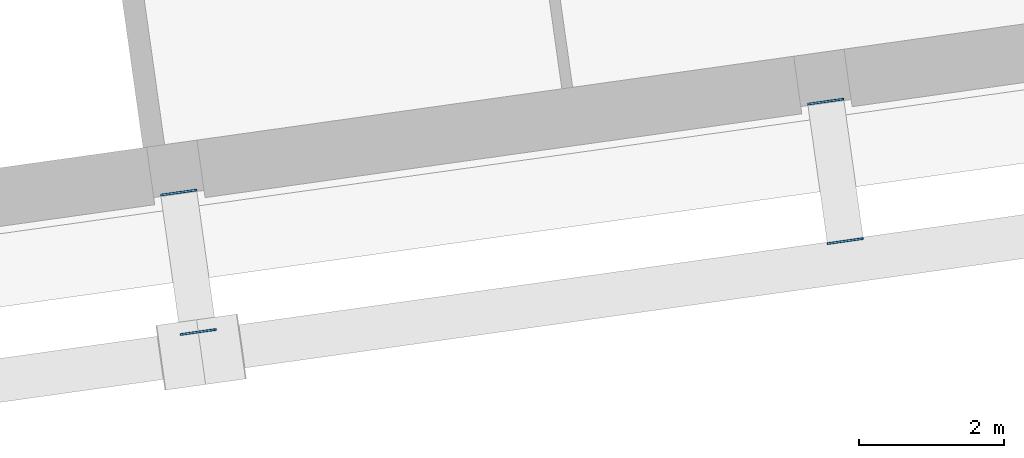
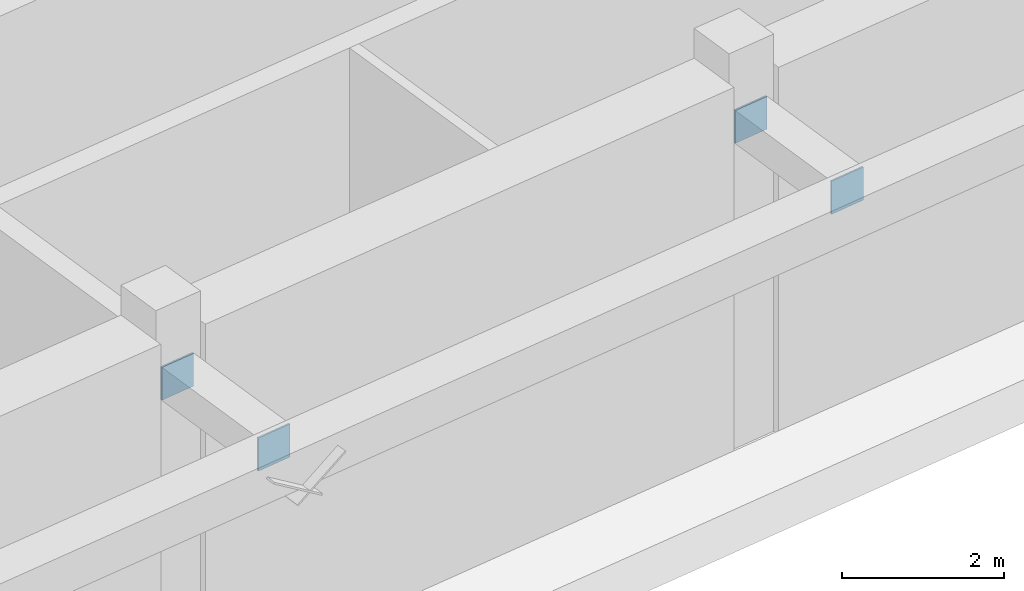
# One storey, part 36 of 41: 4 discrete accessories.
"""IFC4 building model written with IfcOpenShell, lengths in metres."""

import ifcopenshell
import ifcopenshell.guid

model = None  # the IFC model being written
_history = None  # IfcOwnerHistory: only IFC2X3 demands one
_inside = {}  # id of a spatial element -> (the spatial element, [elements in it])
_under = {}  # id of a project, library or spatial element -> (it, [spatial elements below it])
_declared = {}  # id of a project -> (the project, [libraries it declares])
_typed = {}  # id of a type object -> (the type object, [elements of that type])
_made_of = {}  # id of a material, layer set ... -> (it, [elements and type objects made of it])


def new_model(schema):
    """Start an empty IFC model of exactly this schema.

    Asked for "IFC4X3", IfcOpenShell would pick the latest addendum, in which some entities
    have other attributes; the version numbers below select the first issue.
    IFC2X3 requires an IfcOwnerHistory on every rooted entity: one is made here for all.
    """
    global model, _history
    if schema == "IFC4X3":
        model = ifcopenshell.file(schema_version=(4, 3, 0, 0))
    else:
        model = ifcopenshell.file(schema=schema)
    _inside.clear()
    _under.clear()
    _declared.clear()
    _typed.clear()
    _made_of.clear()
    _history = None
    if model.schema == "IFC2X3":
        org = make("IfcOrganization", Name="unknown")
        user = make(
            "IfcPersonAndOrganization",
            ThePerson=make("IfcPerson", FamilyName="unknown"),
            TheOrganization=org,
        )
        app = make(
            "IfcApplication",
            ApplicationDeveloper=org,
            Version="unknown",
            ApplicationFullName="unknown",
            ApplicationIdentifier="unknown",
        )
        _history = make(
            "IfcOwnerHistory",
            OwningUser=user,
            OwningApplication=app,
            ChangeAction="ADDED",
            CreationDate=0,
        )
    return model


def make(cls, **values):
    """One entity of the class cls with the attributes given. An attribute that is None is left unset."""
    return model.create_entity(
        cls, **{name: value for name, value in values.items() if value is not None}
    )


def rooted(cls, **values):
    """An entity with a GlobalId (a new one), such as an element, a storey or a relation."""
    return make(cls, GlobalId=ifcopenshell.guid.new(), OwnerHistory=_history, **values)


def si_unit(unit_type, name, prefix=None):
    """IfcSIUnit, for example si_unit("LENGTHUNIT", "METRE", prefix="MILLI")."""
    return make("IfcSIUnit", UnitType=unit_type, Prefix=prefix, Name=name)


def assignment(units):
    """IfcUnitAssignment: the units of a project."""
    return None if units is None else make("IfcUnitAssignment", Units=units)


def point(xyz):
    """IfcCartesianPoint."""
    return None if xyz is None else make("IfcCartesianPoint", Coordinates=xyz)


def direction(xyz):
    """IfcDirection."""
    return None if xyz is None else make("IfcDirection", DirectionRatios=xyz)


def frame(location, z_axis=None, x_axis=None):
    """IfcAxis2Placement3D, a coordinate frame: its origin and axes. An axis left out is left unset."""
    return make(
        "IfcAxis2Placement3D",
        Location=point(location),
        Axis=direction(z_axis),
        RefDirection=direction(x_axis),
    )


def frame_2d(location, x_axis=None):
    """IfcAxis2Placement2D, a coordinate frame in the plane: its origin and x axis."""
    return make(
        "IfcAxis2Placement2D", Location=point(location), RefDirection=direction(x_axis)
    )


def origin():
    """The frame at (0, 0, 0) with its axes left unset."""
    return frame((0.0, 0.0, 0.0))


def origin_2d():
    """The frame at (0, 0) in the plane with its x axis left unset."""
    return frame_2d((0.0, 0.0))


def place(relative_to, where):
    """IfcLocalPlacement: puts the frame where relative to a parent placement (None: the world)."""
    return make(
        "IfcLocalPlacement", PlacementRelTo=relative_to, RelativePlacement=where
    )


def context(
    kind, dimensions, precision=None, world=None, true_north=None, identifier=None
):
    """IfcGeometricRepresentationContext, for example the 3D "Model" context."""
    return make(
        "IfcGeometricRepresentationContext",
        ContextIdentifier=identifier,
        ContextType=kind,
        CoordinateSpaceDimension=dimensions,
        Precision=precision,
        WorldCoordinateSystem=world,
        TrueNorth=true_north,
    )


def subcontext(parent, identifier, kind, view, scale=None):
    """IfcGeometricRepresentationSubContext, for example "Body" below "Model"."""
    return make(
        "IfcGeometricRepresentationSubContext",
        ContextIdentifier=identifier,
        ContextType=kind,
        ParentContext=parent,
        TargetScale=scale,
        TargetView=view,
    )


def project(units=None, contexts=None):
    """IfcProject with its units and contexts."""
    return rooted(
        "IfcProject",
        Name="project",
        RepresentationContexts=contexts,
        UnitsInContext=assignment(units),
    )


def spatial(cls, under=None, at=None, **own):
    """A site, building, storey or space (cls), placed at a placement, below another one or the project."""
    s = rooted(cls, ObjectPlacement=at, **own)
    if under is not None:
        _under.setdefault(under.id(), (under, []))[1].append(s)
    return s


def profile(cls, at=None, kind="AREA", **sizes):
    """A parametric profile (cls). Its sizes go by their IFC names, for example OverallWidth=200.0."""
    return make(cls, ProfileType=kind, Position=at, **sizes)


def rectangle(**sizes):
    """IfcRectangleProfileDef."""
    return profile("IfcRectangleProfileDef", **sizes)


def extrude(swept, where, along, depth):
    """IfcExtrudedAreaSolid: the profile swept, set in the frame where, extruded along a direction by depth."""
    return make(
        "IfcExtrudedAreaSolid",
        SweptArea=swept,
        Position=where,
        ExtrudedDirection=direction(along),
        Depth=depth,
    )


def shape(context_of_items, identifier, shape_type, items):
    """IfcShapeRepresentation: the items that make up one representation, for example the "Body"."""
    return make(
        "IfcShapeRepresentation",
        ContextOfItems=context_of_items,
        RepresentationIdentifier=identifier,
        RepresentationType=shape_type,
        Items=items,
    )


def material(Name=None, Category=None):
    """IfcMaterial."""
    return make("IfcMaterial", Name=Name, Category=Category)


def material_profile(
    of_material, cross_section, Name=None, Category=None, Priority=None
):
    """IfcMaterialProfile: a cross section and its material."""
    return make(
        "IfcMaterialProfile",
        Name=Name,
        Material=of_material,
        Profile=cross_section,
        Priority=Priority,
        Category=Category,
    )


def profile_set(profiles, Name=None, composite=None):
    """IfcMaterialProfileSet."""
    return make(
        "IfcMaterialProfileSet",
        Name=Name,
        MaterialProfiles=profiles,
        CompositeProfile=composite,
    )


def made_of(thing, what):
    """Note that an element or type object is made of a material, layer set ...; save() writes the relation."""
    if what is not None:
        _made_of.setdefault(what.id(), (what, []))[1].append(thing)
    return thing


def type_object(cls, material=None, **own):
    """A type object (cls), such as IfcWallType, which elements share."""
    return made_of(rooted(cls, **own), material)


def element(
    cls,
    number,
    at=None,
    inside=None,
    cuts=None,
    type_object=None,
    material=None,
    context=None,
    identifier="Body",
    shape_type=None,
    held_by="IfcProductDefinitionShape",
    body=None,
    shapes=None,
    **own,
):
    """One element of the class cls, such as IfcWall. Its Tag is "e" and its number.

    at: its placement. inside: the storey or other place that contains it. cuts: it is an
    opening in that element (IfcRelVoidsElement). A single representation is given by context,
    identifier, shape_type and body (its items); several are given by shapes. held_by: the class
    of the entity that holds the representations. save() writes the other relations.
    """
    e = rooted(cls, Tag="e%d" % number, ObjectPlacement=at, **own)
    if body is not None:
        shapes = [shape(context, identifier, shape_type, body)]
    if shapes is not None:
        e.Representation = make(held_by, Representations=shapes)
    if inside is not None:
        _inside.setdefault(inside.id(), (inside, []))[1].append(e)
    if cuts is not None:
        rooted(
            "IfcRelVoidsElement", RelatingBuildingElement=cuts, RelatedOpeningElement=e
        )
    if type_object is not None:
        _typed.setdefault(type_object.id(), (type_object, []))[1].append(e)
    return made_of(e, material)


def aggregate(whole, parts):
    """IfcRelAggregates: a whole, such as a stair, and the parts it consists of."""
    return rooted("IfcRelAggregates", RelatingObject=whole, RelatedObjects=parts)


def save(model, path):
    """Write the relations noted so far, then the file.

    IfcRelAggregates (storeys below a building ...), IfcRelContainedInSpatialStructure (elements
    in a storey), IfcRelDefinesByType, IfcRelAssociatesMaterial and IfcRelDeclares: one each for
    every whole, place, type object, material and project.
    """
    for whole, parts in _under.values():
        aggregate(whole, parts)
    for where, things in _inside.values():
        rooted(
            "IfcRelContainedInSpatialStructure",
            RelatedElements=things,
            RelatingStructure=where,
        )
    for kind, things in _typed.values():
        rooted("IfcRelDefinesByType", RelatedObjects=things, RelatingType=kind)
    for what, things in _made_of.values():
        rooted("IfcRelAssociatesMaterial", RelatedObjects=things, RelatingMaterial=what)
    for by, libraries in _declared.values():
        rooted("IfcRelDeclares", RelatingContext=by, RelatedDefinitions=libraries)
    model.write(path)


model = new_model("IFC4")

# Units and contexts
model_context = context("Model", 3, precision=1e-05, world=origin(), true_north=direction((0.0, 1.0)))
body_context = subcontext(model_context, "Body", "Model", "MODEL_VIEW")
ifc_project = project(units=[si_unit("LENGTHUNIT", "METRE"), si_unit("AREAUNIT", "SQUARE_METRE"), si_unit("VOLUMEUNIT", "CUBIC_METRE"), si_unit("PLANEANGLEUNIT", "RADIAN"), si_unit("MASSUNIT", "GRAM", prefix="KILO")], contexts=[model_context])

# Site, building, storey
site_placement = place(None, origin())
site = spatial("IfcSite", under=ifc_project, at=site_placement, CompositionType="ELEMENT")
building_placement = place(site_placement, origin())
building = spatial("IfcBuilding", under=site, at=building_placement, Name="Mirante Cascada Hotel Towers", CompositionType="ELEMENT")
storey_placement = place(building_placement, frame((0.0, 0.0, 92.7)))
storey = spatial("IfcBuildingStorey", under=building, at=storey_placement, Name="L20", CompositionType="ELEMENT", Elevation=92.7)

# Discrete accessories
ifc_material = material(Name="Steel ASTM A572 Gr 50", Category="steel")
ifc_material_profile = material_profile(ifc_material, rectangle(XDim=0.5, YDim=0.5, at=origin_2d()), Name="Connection plate 500x500x25 ASTM A572 Gr 50")
ifc_profile_set = profile_set([ifc_material_profile], Name="Steel ASTM A572 Gr 50")
discrete_accessory_type = type_object("IfcDiscreteAccessoryType", Name="Connection plate 500x500x25 ASTM A572 Gr 50", PredefinedType="BRACKET", material=ifc_profile_set)
for number, where, z_axis, x_axis, name in (
    (1, (68.2616, -15.5746, 4.85), (0.1397442, -0.9901876, 0.0), (0.9901876, 0.1397442, 0.0), "Connection plate TIE"),
    (2, (68.5316, -17.4957, 4.85), (0.1397442, -0.9901876, 0.0), (0.9901876, 0.1397442, 0.0), "Connection plate TIE"),
):
    element("IfcDiscreteAccessory", number, at=place(storey_placement, frame(where, z_axis=z_axis, x_axis=x_axis)), inside=storey, type_object=discrete_accessory_type, Name=name, PredefinedType="BRACKET", context=body_context, shape_type="SweptSolid", body=[
        extrude(rectangle(XDim=0.5, YDim=0.5, at=origin_2d()), origin(), (0.0, 0.0, 1.0), 0.025),
    ])
for number, where, z_axis, x_axis, name in (
    (3, (77.174, -14.3221, 4.85), (0.1402989, -0.9901092, 0.0), (0.9901092, 0.1402989, 0.0), "Connection plate TIE"),
    (4, (77.444, -16.2432, 4.85), (0.1402989, -0.9901092, 0.0), (0.9901092, 0.1402989, 0.0), "Connection plate TIE"),
):
    element("IfcDiscreteAccessory", number, at=place(storey_placement, frame(where, z_axis=z_axis, x_axis=x_axis)), inside=storey, type_object=discrete_accessory_type, Name=name, PredefinedType="BRACKET", context=body_context, shape_type="SweptSolid", body=[
        extrude(rectangle(XDim=0.5, YDim=0.5, at=origin_2d()), origin(), (0.0, 0.0, 1.0), 0.0249),
    ])

save(model, "model.ifc")
